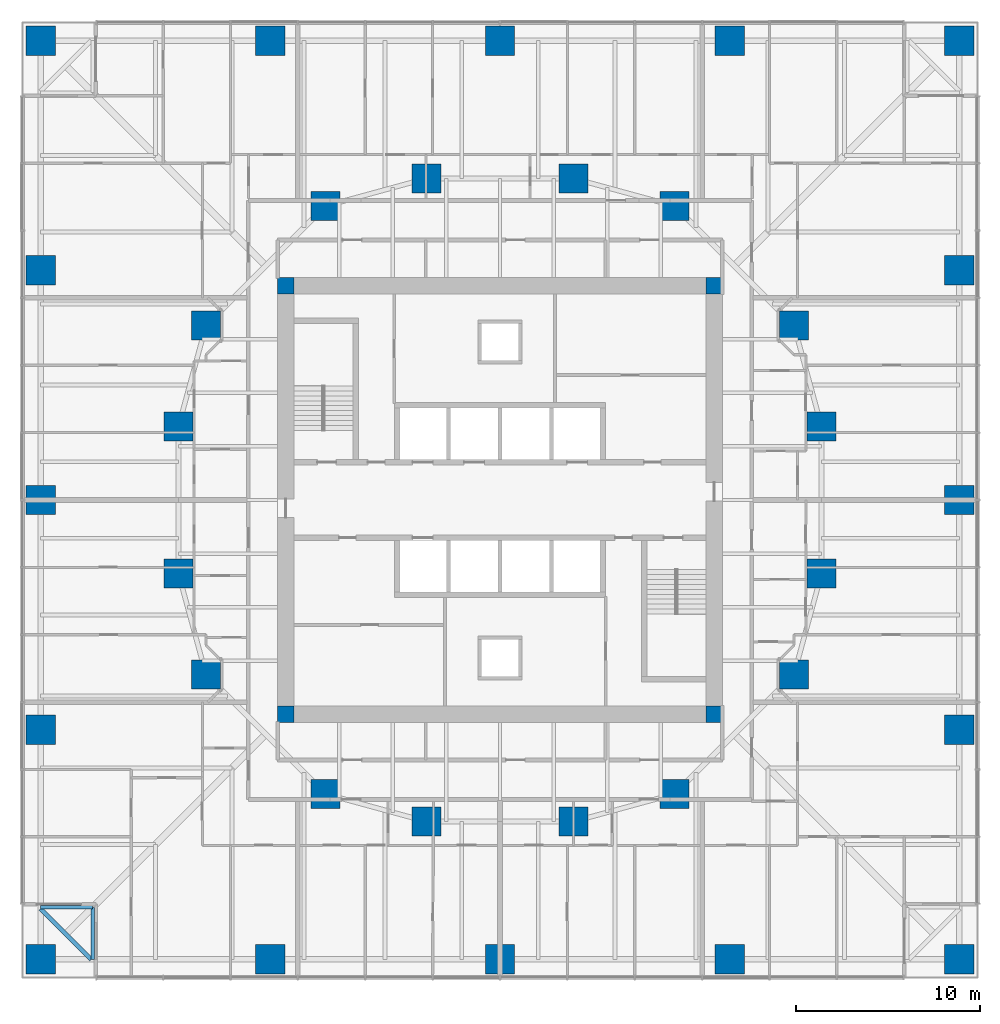
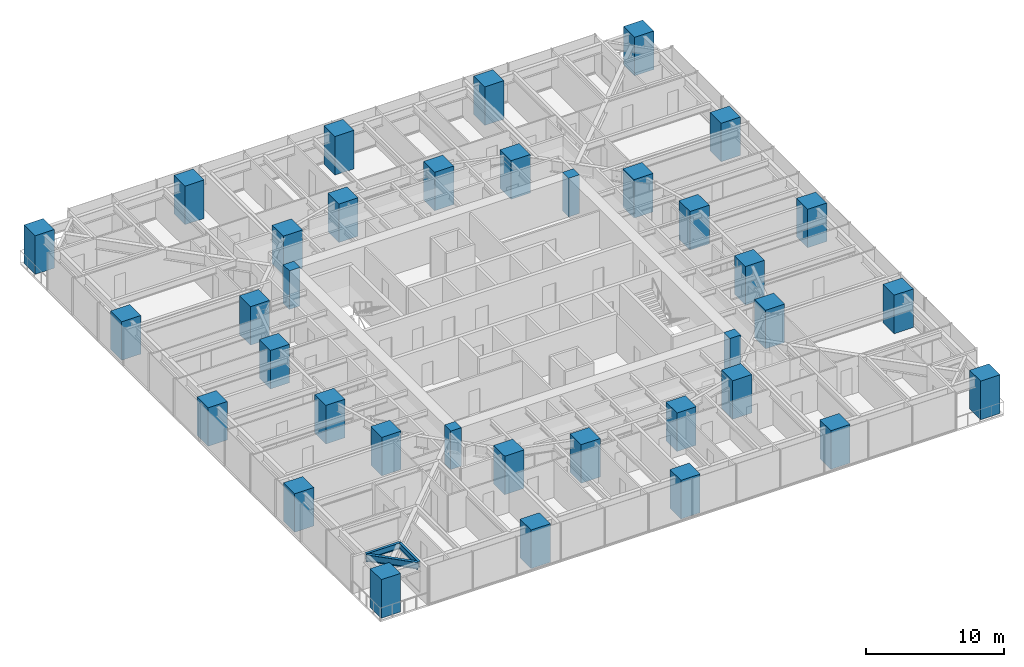
# One storey, part 1 of 18: 36 columns, 3 beams.
"""IFC4 building model written with IfcOpenShell, lengths in metres."""

import ifcopenshell
import ifcopenshell.guid

model = None  # the IFC model being written
_history = None  # IfcOwnerHistory: only IFC2X3 demands one
_inside = {}  # id of a spatial element -> (the spatial element, [elements in it])
_under = {}  # id of a project, library or spatial element -> (it, [spatial elements below it])
_declared = {}  # id of a project -> (the project, [libraries it declares])
_typed = {}  # id of a type object -> (the type object, [elements of that type])
_made_of = {}  # id of a material, layer set ... -> (it, [elements and type objects made of it])


def new_model(schema):
    """Start an empty IFC model of exactly this schema.

    Asked for "IFC4X3", IfcOpenShell would pick the latest addendum, in which some entities
    have other attributes; the version numbers below select the first issue.
    IFC2X3 requires an IfcOwnerHistory on every rooted entity: one is made here for all.
    """
    global model, _history
    if schema == "IFC4X3":
        model = ifcopenshell.file(schema_version=(4, 3, 0, 0))
    else:
        model = ifcopenshell.file(schema=schema)
    _inside.clear()
    _under.clear()
    _declared.clear()
    _typed.clear()
    _made_of.clear()
    _history = None
    if model.schema == "IFC2X3":
        org = make("IfcOrganization", Name="unknown")
        user = make(
            "IfcPersonAndOrganization",
            ThePerson=make("IfcPerson", FamilyName="unknown"),
            TheOrganization=org,
        )
        app = make(
            "IfcApplication",
            ApplicationDeveloper=org,
            Version="unknown",
            ApplicationFullName="unknown",
            ApplicationIdentifier="unknown",
        )
        _history = make(
            "IfcOwnerHistory",
            OwningUser=user,
            OwningApplication=app,
            ChangeAction="ADDED",
            CreationDate=0,
        )
    return model


def make(cls, **values):
    """One entity of the class cls with the attributes given. An attribute that is None is left unset."""
    return model.create_entity(
        cls, **{name: value for name, value in values.items() if value is not None}
    )


def rooted(cls, **values):
    """An entity with a GlobalId (a new one), such as an element, a storey or a relation."""
    return make(cls, GlobalId=ifcopenshell.guid.new(), OwnerHistory=_history, **values)


def si_unit(unit_type, name, prefix=None):
    """IfcSIUnit, for example si_unit("LENGTHUNIT", "METRE", prefix="MILLI")."""
    return make("IfcSIUnit", UnitType=unit_type, Prefix=prefix, Name=name)


def assignment(units):
    """IfcUnitAssignment: the units of a project."""
    return None if units is None else make("IfcUnitAssignment", Units=units)


def point(xyz):
    """IfcCartesianPoint."""
    return None if xyz is None else make("IfcCartesianPoint", Coordinates=xyz)


def direction(xyz):
    """IfcDirection."""
    return None if xyz is None else make("IfcDirection", DirectionRatios=xyz)


def frame(location, z_axis=None, x_axis=None):
    """IfcAxis2Placement3D, a coordinate frame: its origin and axes. An axis left out is left unset."""
    return make(
        "IfcAxis2Placement3D",
        Location=point(location),
        Axis=direction(z_axis),
        RefDirection=direction(x_axis),
    )


def frame_2d(location, x_axis=None):
    """IfcAxis2Placement2D, a coordinate frame in the plane: its origin and x axis."""
    return make(
        "IfcAxis2Placement2D", Location=point(location), RefDirection=direction(x_axis)
    )


def origin():
    """The frame at (0, 0, 0) with its axes left unset."""
    return frame((0.0, 0.0, 0.0))


def origin_2d():
    """The frame at (0, 0) in the plane with its x axis left unset."""
    return frame_2d((0.0, 0.0))


def place(relative_to, where):
    """IfcLocalPlacement: puts the frame where relative to a parent placement (None: the world)."""
    return make(
        "IfcLocalPlacement", PlacementRelTo=relative_to, RelativePlacement=where
    )


def context(
    kind, dimensions, precision=None, world=None, true_north=None, identifier=None
):
    """IfcGeometricRepresentationContext, for example the 3D "Model" context."""
    return make(
        "IfcGeometricRepresentationContext",
        ContextIdentifier=identifier,
        ContextType=kind,
        CoordinateSpaceDimension=dimensions,
        Precision=precision,
        WorldCoordinateSystem=world,
        TrueNorth=true_north,
    )


def subcontext(parent, identifier, kind, view, scale=None):
    """IfcGeometricRepresentationSubContext, for example "Body" below "Model"."""
    return make(
        "IfcGeometricRepresentationSubContext",
        ContextIdentifier=identifier,
        ContextType=kind,
        ParentContext=parent,
        TargetScale=scale,
        TargetView=view,
    )


def project(units=None, contexts=None):
    """IfcProject with its units and contexts."""
    return rooted(
        "IfcProject",
        Name="project",
        RepresentationContexts=contexts,
        UnitsInContext=assignment(units),
    )


def spatial(cls, under=None, at=None, **own):
    """A site, building, storey or space (cls), placed at a placement, below another one or the project."""
    s = rooted(cls, ObjectPlacement=at, **own)
    if under is not None:
        _under.setdefault(under.id(), (under, []))[1].append(s)
    return s


def profile(cls, at=None, kind="AREA", **sizes):
    """A parametric profile (cls). Its sizes go by their IFC names, for example OverallWidth=200.0."""
    return make(cls, ProfileType=kind, Position=at, **sizes)


def rectangle(**sizes):
    """IfcRectangleProfileDef."""
    return profile("IfcRectangleProfileDef", **sizes)


def i_section(**sizes):
    """IfcIShapeProfileDef."""
    return profile("IfcIShapeProfileDef", **sizes)


def extrude(swept, where, along, depth):
    """IfcExtrudedAreaSolid: the profile swept, set in the frame where, extruded along a direction by depth."""
    return make(
        "IfcExtrudedAreaSolid",
        SweptArea=swept,
        Position=where,
        ExtrudedDirection=direction(along),
        Depth=depth,
    )


def shape(context_of_items, identifier, shape_type, items):
    """IfcShapeRepresentation: the items that make up one representation, for example the "Body"."""
    return make(
        "IfcShapeRepresentation",
        ContextOfItems=context_of_items,
        RepresentationIdentifier=identifier,
        RepresentationType=shape_type,
        Items=items,
    )


def material(Name=None, Category=None):
    """IfcMaterial."""
    return make("IfcMaterial", Name=Name, Category=Category)


def material_profile(
    of_material, cross_section, Name=None, Category=None, Priority=None
):
    """IfcMaterialProfile: a cross section and its material."""
    return make(
        "IfcMaterialProfile",
        Name=Name,
        Material=of_material,
        Profile=cross_section,
        Priority=Priority,
        Category=Category,
    )


def profile_set(profiles, Name=None, composite=None):
    """IfcMaterialProfileSet."""
    return make(
        "IfcMaterialProfileSet",
        Name=Name,
        MaterialProfiles=profiles,
        CompositeProfile=composite,
    )


def made_of(thing, what):
    """Note that an element or type object is made of a material, layer set ...; save() writes the relation."""
    if what is not None:
        _made_of.setdefault(what.id(), (what, []))[1].append(thing)
    return thing


def type_object(cls, material=None, **own):
    """A type object (cls), such as IfcWallType, which elements share."""
    return made_of(rooted(cls, **own), material)


def element(
    cls,
    number,
    at=None,
    inside=None,
    cuts=None,
    type_object=None,
    material=None,
    context=None,
    identifier="Body",
    shape_type=None,
    held_by="IfcProductDefinitionShape",
    body=None,
    shapes=None,
    **own,
):
    """One element of the class cls, such as IfcWall. Its Tag is "e" and its number.

    at: its placement. inside: the storey or other place that contains it. cuts: it is an
    opening in that element (IfcRelVoidsElement). A single representation is given by context,
    identifier, shape_type and body (its items); several are given by shapes. held_by: the class
    of the entity that holds the representations. save() writes the other relations.
    """
    e = rooted(cls, Tag="e%d" % number, ObjectPlacement=at, **own)
    if body is not None:
        shapes = [shape(context, identifier, shape_type, body)]
    if shapes is not None:
        e.Representation = make(held_by, Representations=shapes)
    if inside is not None:
        _inside.setdefault(inside.id(), (inside, []))[1].append(e)
    if cuts is not None:
        rooted(
            "IfcRelVoidsElement", RelatingBuildingElement=cuts, RelatedOpeningElement=e
        )
    if type_object is not None:
        _typed.setdefault(type_object.id(), (type_object, []))[1].append(e)
    return made_of(e, material)


def aggregate(whole, parts):
    """IfcRelAggregates: a whole, such as a stair, and the parts it consists of."""
    return rooted("IfcRelAggregates", RelatingObject=whole, RelatedObjects=parts)


def save(model, path):
    """Write the relations noted so far, then the file.

    IfcRelAggregates (storeys below a building ...), IfcRelContainedInSpatialStructure (elements
    in a storey), IfcRelDefinesByType, IfcRelAssociatesMaterial and IfcRelDeclares: one each for
    every whole, place, type object, material and project.
    """
    for whole, parts in _under.values():
        aggregate(whole, parts)
    for where, things in _inside.values():
        rooted(
            "IfcRelContainedInSpatialStructure",
            RelatedElements=things,
            RelatingStructure=where,
        )
    for kind, things in _typed.values():
        rooted("IfcRelDefinesByType", RelatedObjects=things, RelatingType=kind)
    for what, things in _made_of.values():
        rooted("IfcRelAssociatesMaterial", RelatedObjects=things, RelatingMaterial=what)
    for by, libraries in _declared.values():
        rooted("IfcRelDeclares", RelatingContext=by, RelatedDefinitions=libraries)
    model.write(path)


model = new_model("IFC4")

# Units and contexts
model_context = context("Model", 3, precision=1e-05, world=origin(), true_north=direction((0.0, 1.0)))
body_context = subcontext(model_context, "Body", "Model", "MODEL_VIEW")
ifc_project = project(units=[si_unit("LENGTHUNIT", "METRE"), si_unit("AREAUNIT", "SQUARE_METRE"), si_unit("VOLUMEUNIT", "CUBIC_METRE"), si_unit("PLANEANGLEUNIT", "RADIAN"), si_unit("MASSUNIT", "GRAM", prefix="KILO")], contexts=[model_context])

# Site, building, storey
site_placement = place(None, origin())
site = spatial("IfcSite", under=ifc_project, at=site_placement, CompositionType="ELEMENT")
building_placement = place(site_placement, origin())
building = spatial("IfcBuilding", under=site, at=building_placement, Name="Torsade Residences", CompositionType="ELEMENT")
storey_placement = place(building_placement, frame((0.0, 0.0, 25.199951171875)))
storey = spatial("IfcBuildingStorey", under=building, at=storey_placement, Name="L06", CompositionType="ELEMENT", Elevation=25.199951171875)

# Columns
ifc_material_1 = material(Name="Concrete 80 MPa", Category="concrete")
ifc_material_profile_1 = material_profile(ifc_material_1, rectangle(XDim=0.89990234375, YDim=0.89990234375, at=origin_2d()), Name="RC 900x900")
ifc_profile_set_1 = profile_set([ifc_material_profile_1], Name="Concrete 80 MPa")
column_type_1 = type_object("IfcColumnType", Name="CORE CORNER COLUMN RC 900x900", PredefinedType="COLUMN", material=ifc_profile_set_1)
for number, where, z_axis, x_axis, name in (
    (1, (28.35009765625, 18.35009765625, 0.0), (0.0, 0.0, 1.0), (1.0, 0.0, 0.0), "Core corner column CC1 L06"),
    (2, (51.64990234375, 18.35009765625, 0.0), (0.0, 0.0, 1.0), (1.0, 0.0, 0.0), "Core corner column CC2 L06"),
    (3, (51.64990234375, 41.64990234375, 0.0), (0.0, 0.0, 1.0), (1.0, 0.0, 0.0), "Core corner column CC3 L06"),
    (4, (28.35009765625, 41.64990234375, 0.0), (0.0, 0.0, 1.0), (1.0, 0.0, 0.0), "Core corner column CC4 L06"),
):
    element("IfcColumn", number, at=place(storey_placement, frame(where, z_axis=z_axis, x_axis=x_axis)), inside=storey, type_object=column_type_1, Name=name, PredefinedType="COLUMN", context=body_context, shape_type="SweptSolid", body=[
        extrude(rectangle(XDim=0.89990234375, YDim=0.89990234375, at=origin_2d()), origin(), (0.0, 0.0, 1.0), 3.400146484375),
    ])
ifc_material_2 = material(Name="Concrete 80 MPa", Category="concrete")
ifc_material_profile_2 = material_profile(ifc_material_2, rectangle(XDim=1.60009765625, YDim=1.60009765625, at=origin_2d()), Name="RC 1600x1600")
ifc_profile_set_2 = profile_set([ifc_material_profile_2], Name="Concrete 80 MPa")
column_type_2 = type_object("IfcColumnType", Name="INNER RING COLUMN RC 1600x1600", PredefinedType="COLUMN", material=ifc_profile_set_2)
for number, where, z_axis, x_axis, name in (
    (5, (57.5, 26.0, 0.0), (0.0, 0.0, 1.0), (1.0, 0.0, 0.0), "Inner ring column IR01 L06"),
    (6, (57.5, 34.0, 0.0), (0.0, 0.0, 1.0), (1.0, 0.0, 0.0), "Inner ring column IR02 L06"),
    (7, (56.0, 39.5, 0.0), (0.0, 0.0, 1.0), (1.0, 0.0, 0.0), "Inner ring column IR03 L06"),
    (8, (49.5, 46.0, 0.0), (0.0, 0.0, 1.0), (1.0, 0.0, 0.0), "Inner ring column IR04 L06"),
    (9, (44.0, 47.5, 0.0), (0.0, 0.0, 1.0), (1.0, 0.0, 0.0), "Inner ring column IR05 L06"),
    (10, (36.0, 47.5, 0.0), (0.0, 0.0, 1.0), (1.0, 0.0, 0.0), "Inner ring column IR06 L06"),
    (11, (30.5, 46.0, 0.0), (0.0, 0.0, 1.0), (1.0, 0.0, 0.0), "Inner ring column IR07 L06"),
    (12, (24.0, 39.5, 0.0), (0.0, 0.0, 1.0), (1.0, 0.0, 0.0), "Inner ring column IR08 L06"),
    (13, (22.5, 34.0, 0.0), (0.0, 0.0, 1.0), (1.0, 0.0, 0.0), "Inner ring column IR09 L06"),
    (14, (22.5, 26.0, 0.0), (0.0, 0.0, 1.0), (1.0, 0.0, 0.0), "Inner ring column IR10 L06"),
    (15, (24.0, 20.5, 0.0), (0.0, 0.0, 1.0), (1.0, 0.0, 0.0), "Inner ring column IR11 L06"),
    (16, (30.5, 14.0, 0.0), (0.0, 0.0, 1.0), (1.0, 0.0, 0.0), "Inner ring column IR12 L06"),
    (17, (36.0, 12.5, 0.0), (0.0, 0.0, 1.0), (1.0, 0.0, 0.0), "Inner ring column IR13 L06"),
    (18, (44.0, 12.5, 0.0), (0.0, 0.0, 1.0), (1.0, 0.0, 0.0), "Inner ring column IR14 L06"),
    (19, (49.5, 14.0, 0.0), (0.0, 0.0, 1.0), (1.0, 0.0, 0.0), "Inner ring column IR15 L06"),
    (20, (56.0, 20.5, 0.0), (0.0, 0.0, 1.0), (1.0, 0.0, 0.0), "Inner ring column IR16 L06"),
):
    element("IfcColumn", number, at=place(storey_placement, frame(where, z_axis=z_axis, x_axis=x_axis)), inside=storey, type_object=column_type_2, Name=name, PredefinedType="COLUMN", context=body_context, shape_type="SweptSolid", body=[
        extrude(rectangle(XDim=1.60009765625, YDim=1.60009765625, at=origin_2d()), origin(), (0.0, 0.0, 1.0), 3.400146484375),
    ])
ifc_material_3 = material(Name="Concrete 80 MPa", Category="concrete")
ifc_material_profile_3 = material_profile(ifc_material_3, rectangle(XDim=1.60009765625, YDim=1.60009765625, at=origin_2d()), Name="RC 1600x1600")
ifc_profile_set_3 = profile_set([ifc_material_profile_3], Name="Concrete 80 MPa")
column_type_3 = type_object("IfcColumnType", Name="TOWER COLUMN RC 1600x1600", PredefinedType="COLUMN", material=ifc_profile_set_3)
for number, where, z_axis, x_axis, name in (
    (21, (15.0, 5.0, 0.0), (0.0, 0.0, 1.0), (1.0, 0.0, 0.0), "Column TC1-01 L06"),
    (22, (27.5, 5.0, 0.0), (0.0, 0.0, 1.0), (1.0, 0.0, 0.0), "Column TC1-02 L06"),
    (23, (40.0, 5.0, 0.0), (0.0, 0.0, 1.0), (1.0, 0.0, 0.0), "Column TC1-03 L06"),
    (24, (52.5, 5.0, 0.0), (0.0, 0.0, 1.0), (1.0, 0.0, 0.0), "Column TC1-04 L06"),
    (25, (65.0, 5.0, 0.0), (0.0, 0.0, 1.0), (1.0, 0.0, 0.0), "Column TC1-05 L06"),
    (26, (65.0, 17.5, 0.0), (0.0, 0.0, 1.0), (1.0, 0.0, 0.0), "Column TC1-06 L06"),
    (27, (65.0, 30.0, 0.0), (0.0, 0.0, 1.0), (1.0, 0.0, 0.0), "Column TC1-07 L06"),
    (28, (65.0, 42.5, 0.0), (0.0, 0.0, 1.0), (1.0, 0.0, 0.0), "Column TC1-08 L06"),
    (29, (65.0, 55.0, 0.0), (0.0, 0.0, 1.0), (1.0, 0.0, 0.0), "Column TC1-09 L06"),
    (30, (52.5, 55.0, 0.0), (0.0, 0.0, 1.0), (1.0, 0.0, 0.0), "Column TC1-10 L06"),
    (31, (40.0, 55.0, 0.0), (0.0, 0.0, 1.0), (1.0, 0.0, 0.0), "Column TC1-11 L06"),
    (32, (27.5, 55.0, 0.0), (0.0, 0.0, 1.0), (1.0, 0.0, 0.0), "Column TC1-12 L06"),
    (33, (15.0, 55.0, 0.0), (0.0, 0.0, 1.0), (1.0, 0.0, 0.0), "Column TC1-13 L06"),
    (34, (15.0, 42.5, 0.0), (0.0, 0.0, 1.0), (1.0, 0.0, 0.0), "Column TC1-14 L06"),
    (35, (15.0, 30.0, 0.0), (0.0, 0.0, 1.0), (1.0, 0.0, 0.0), "Column TC1-15 L06"),
    (36, (15.0, 17.5, 0.0), (0.0, 0.0, 1.0), (1.0, 0.0, 0.0), "Column TC1-16 L06"),
):
    element("IfcColumn", number, at=place(storey_placement, frame(where, z_axis=z_axis, x_axis=x_axis)), inside=storey, type_object=column_type_3, Name=name, PredefinedType="COLUMN", context=body_context, shape_type="SweptSolid", body=[
        extrude(rectangle(XDim=1.60009765625, YDim=1.60009765625, at=origin_2d()), origin(), (0.0, 0.0, 1.0), 3.400146484375),
    ])

# Beams
ifc_material_4 = material(Name="Steel grade 300", Category="steel")
ifc_material_profile_4 = material_profile(ifc_material_4, i_section(OverallWidth=0.22802734375, OverallDepth=0.60205078125, WebThickness=0.010498046875, FlangeThickness=0.014892578125, FilletRadius=0.013916015625, at=origin_2d()), Name="610UB101")
ifc_profile_set_4 = profile_set([ifc_material_profile_4], Name="Steel grade 300")
beam_type_1 = type_object("IfcBeamType", Name="CORNER TRIMMER 610UB101", PredefinedType="BEAM", material=ifc_profile_set_4)
beam_placement = place(storey_placement, frame((17.75, 5.0, 2.948974609375), z_axis=(-0.707106781187, 0.707106781187, 0.0), x_axis=(-0.707106781187, -0.707106781187, 0.0)))
element("IfcBeam", 37, at=beam_placement, inside=storey, type_object=beam_type_1, Name="Corner trimmer 01 L07", PredefinedType="BEAM", context=body_context, shape_type="SweptSolid", body=[
    extrude(i_section(OverallWidth=0.22802734375, OverallDepth=0.60205078125, WebThickness=0.010498046875, FlangeThickness=0.014892578125, FilletRadius=0.013916015625, at=origin_2d()), origin(), (0.0, 0.0, 1.0), 3.88916015625),
])
ifc_material_5 = material(Name="Steel grade 300", Category="steel")
ifc_material_profile_5 = material_profile(ifc_material_5, i_section(OverallWidth=0.208984375, OverallDepth=0.528076171875, WebThickness=0.009521484375, FlangeThickness=0.01318359375, FilletRadius=0.013916015625, at=origin_2d()), Name="530UB82.0")
ifc_profile_set_5 = profile_set([ifc_material_profile_5], Name="Steel grade 300")
beam_type_2 = type_object("IfcBeamType", Name="SECONDARY BEAM 530UB82.0", PredefinedType="JOIST", material=ifc_profile_set_5)
for number, where, z_axis, x_axis, name in (
    (38, (17.833251953125, 5.0, 2.986083984375), (0.0, 1.0, 0.0), (-1.0, 0.0, 0.0), "Floor beam FS01 L07"),
    (39, (15.0, 7.833251953125, 2.986083984375), (1.0, 0.0, 0.0), (0.0, 1.0, 0.0), "Floor beam FW12 L07"),
):
    element("IfcBeam", number, at=place(storey_placement, frame(where, z_axis=z_axis, x_axis=x_axis)), inside=storey, type_object=beam_type_2, Name=name, PredefinedType="JOIST", context=body_context, shape_type="SweptSolid", body=[
        extrude(i_section(OverallWidth=0.208984375, OverallDepth=0.528076171875, WebThickness=0.009521484375, FlangeThickness=0.01318359375, FilletRadius=0.013916015625, at=origin_2d()), origin(), (0.0, 0.0, 1.0), 2.833251953125),
    ])

save(model, "model.ifc")
